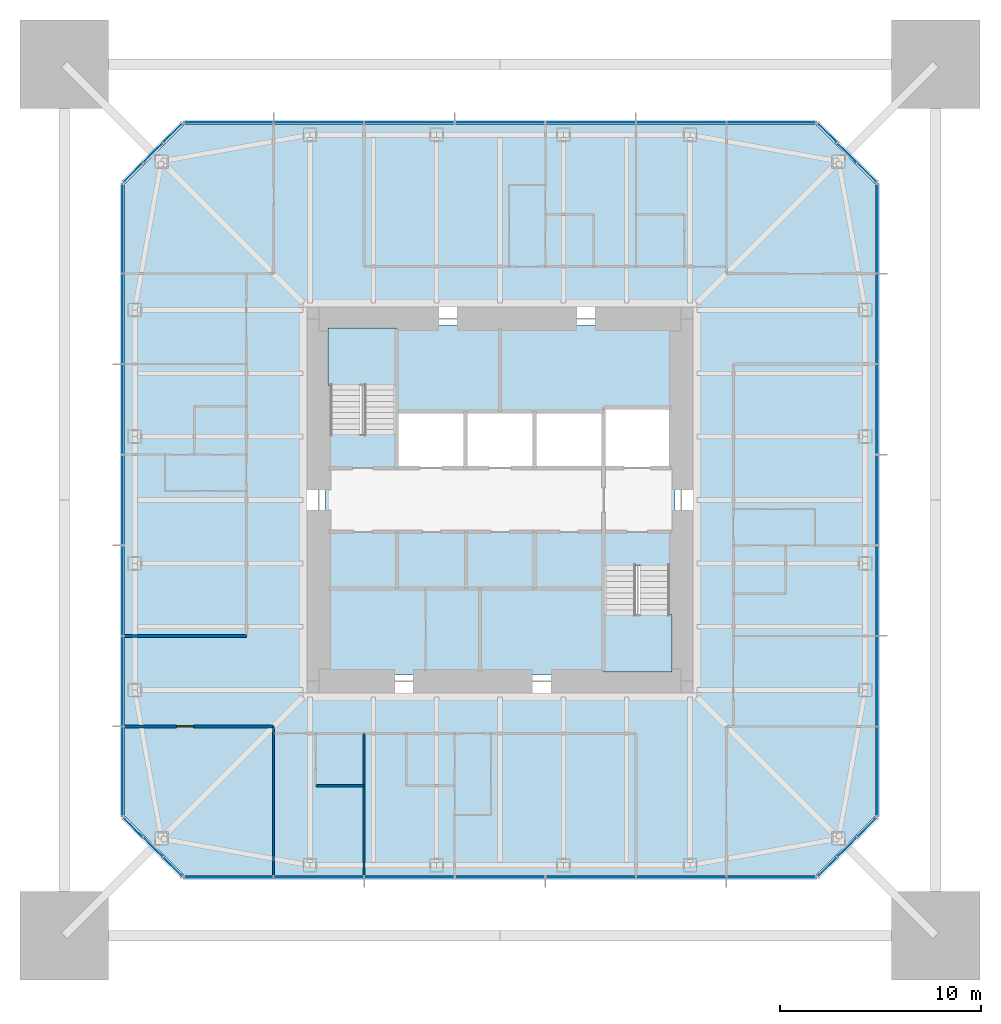
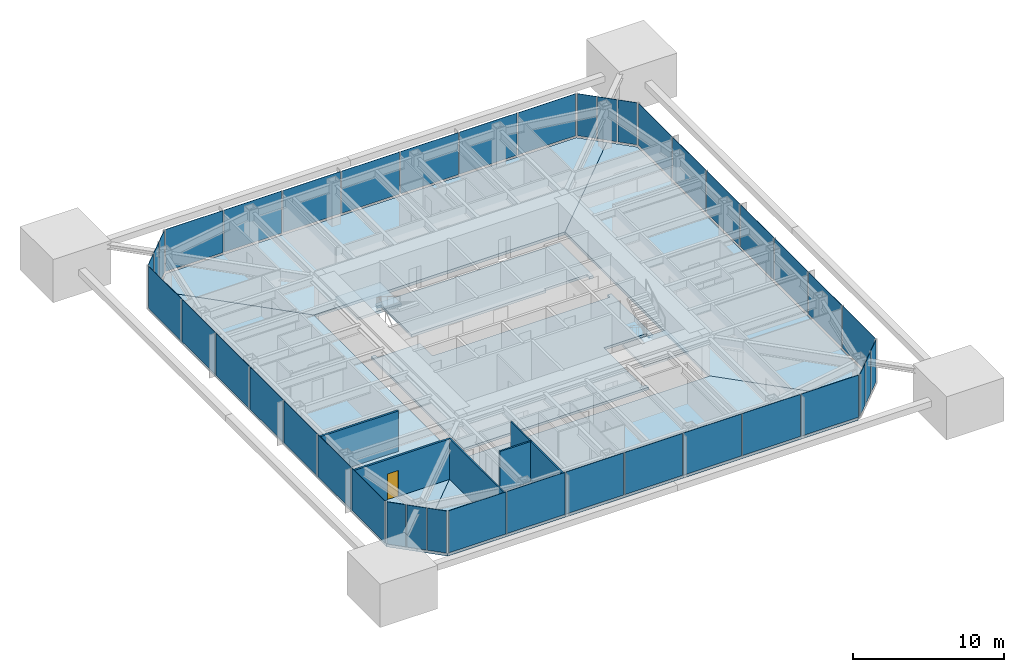
# One storey, part 7 of 13: 40 plates, 8 slabs, 5 walls, 1 door, 1 opening, 10 elements without a shape of their own.
"""IFC4 building model written with IfcOpenShell, lengths in metres."""

from ifc_helpers import new_model, si_unit, direction, frame, frame_2d, origin, origin_2d, place, context, subcontext, project, spatial, polyline, rectangle, outline, extrude, material, layer, layer_set, constituent, constituent_set, type_object, element, fill, aggregate, save


model = new_model("IFC4")

# Units and contexts
model_context = context("Model", 3, precision=1e-05, world=origin(), true_north=direction((0.0, 1.0)))
body_context = subcontext(model_context, "Body", "Model", "MODEL_VIEW")
ifc_project = project(units=[si_unit("LENGTHUNIT", "METRE"), si_unit("AREAUNIT", "SQUARE_METRE"), si_unit("VOLUMEUNIT", "CUBIC_METRE"), si_unit("PLANEANGLEUNIT", "RADIAN"), si_unit("MASSUNIT", "GRAM", prefix="KILO")], contexts=[model_context])

# Site, building, storey
site_placement = place(None, origin())
site = spatial("IfcSite", under=ifc_project, at=site_placement, CompositionType="ELEMENT")
building_placement = place(site_placement, origin())
building = spatial("IfcBuilding", under=site, at=building_placement, Name="Iwan Alto Co-Living Towers", CompositionType="ELEMENT")
storey_placement = place(building_placement, frame((0.0, 0.0, 191.5)))
storey = spatial("IfcBuildingStorey", under=building, at=storey_placement, Name="L52", CompositionType="ELEMENT", Elevation=191.5)

# Slabs
ifc_material_1 = material(Name="Concrete f'c 30 MPa", Category="concrete")
ifc_layer_1 = layer(ifc_material_1, 0.199951171875)
ifc_layer_set_1 = layer_set([ifc_layer_1], Name="CORE FLOOR SLAB 200")
slab_type_1 = type_object("IfcSlabType", Name="CORE FLOOR SLAB 200", PredefinedType="FLOOR", material=ifc_layer_set_1)
slab_1_placement = place(storey_placement, frame((0.0, 0.0, -0.199951171875)))
element("IfcSlab", 1, at=slab_1_placement, inside=storey, type_object=slab_type_1, Name="T1 core floor L52", PredefinedType="FLOOR", context=body_context, shape_type="SweptSolid", body=[
    extrude(outline(polyline([(5.14990234375, -8.39990234375), (5.4599609375, -8.39990234375), (5.4599609375, -8.699951171875), (-8.699951171875, -8.699951171875), (-8.699951171875, 3.580078125), (-8.39990234375, 3.580078125), (-8.39990234375, 3.27001953125), (-5.14990234375, 3.27001953125), (-5.14990234375, 1.60009765625), (-1.717041015625, 1.60009765625), (1.717041015625, 1.60009765625), (5.14990234375, 1.60009765625), (8.39990234375, 1.60009765625), (8.39990234375, 1.909912109375), (8.699951171875, 1.909912109375), (8.699951171875, -3.580078125), (8.39990234375, -3.580078125), (8.39990234375, -3.27001953125), (5.14990234375, -3.27001953125), (5.14990234375, -8.39990234375)])), origin(), (0.0, 0.0, 1.0), 0.199951171875),
])
slab_2_placement = place(storey_placement, frame((0.0, 0.0, -0.199951171875)))
element("IfcSlab", 2, at=slab_2_placement, inside=storey, type_object=slab_type_1, Name="T1 core floor L52", PredefinedType="FLOOR", context=body_context, shape_type="SweptSolid", body=[
    extrude(outline(polyline([(1.717041015625, 4.39990234375), (-1.717041015625, 4.39990234375), (-5.14990234375, 4.39990234375), (-5.14990234375, 8.39990234375), (-5.4599609375, 8.39990234375), (-5.4599609375, 8.699951171875), (8.699951171875, 8.699951171875), (8.699951171875, 4.2900390625), (8.39990234375, 4.2900390625), (8.39990234375, 4.60009765625), (5.14990234375, 4.60009765625), (5.14990234375, 4.39990234375), (1.717041015625, 4.39990234375)])), origin(), (0.0, 0.0, 1.0), 0.199951171875),
])

# Curtain wall, plates
ifc_material_2 = material(Name="Bronze aluminium unitised frame", Category="aluminium")
curtain_wall_type_1 = type_object("IfcCurtainWallType", Name="CURTAIN WALL CW-A", PredefinedType="NOTDEFINED", material=ifc_material_2)
curtain_wall_1_placement = place(storey_placement, origin())
curtain_wall_1 = element("IfcCurtainWall", 3, at=curtain_wall_1_placement, inside=storey, type_object=curtain_wall_type_1, Name="T1 curtain wall S L52", PredefinedType="NOTDEFINED")
ifc_material_3 = material(Name="Bronze-tinted insulating glass", Category="glass")
ifc_layer_2 = layer(ifc_material_3, 0.031982421875)
ifc_layer_set_2 = layer_set([ifc_layer_2], Name="CW-A PANEL TINTED IGU 32")
plate_type_1 = type_object("IfcPlateType", Name="CW-A PANEL TINTED IGU 32", PredefinedType="CURTAIN_PANEL", material=ifc_layer_set_2)
plate_1_placement = place(storey_placement, frame((-13.47998046875, -18.75, 0.10009765625), z_axis=(0.0, 0.0, 1.0), x_axis=(1.0, 0.0, 0.0)))
plate_1 = element("IfcPlate", 4, at=plate_1_placement, type_object=plate_type_1, Name="CW-A panel 1.1", PredefinedType="CURTAIN_PANEL", context=body_context, shape_type="SweptSolid", body=[
    extrude(rectangle(XDim=4.3798828125, YDim=0.031982421875, at=origin_2d()), origin(), (0.0, 0.0, 1.0), 3.39990234375),
])
plate_2_placement = place(storey_placement, frame((-9.0, -18.75, 0.10009765625), z_axis=(0.0, 0.0, 1.0), x_axis=(1.0, 0.0, 0.0)))
plate_2 = element("IfcPlate", 5, at=plate_2_placement, type_object=plate_type_1, Name="CW-A panel 2.1", PredefinedType="CURTAIN_PANEL", context=body_context, shape_type="SweptSolid", body=[
    extrude(rectangle(XDim=4.419921875, YDim=0.031982421875, at=origin_2d()), origin(), (0.0, 0.0, 1.0), 3.39990234375),
])
plate_3_placement = place(storey_placement, frame((-4.5, -18.75, 0.10009765625), z_axis=(0.0, 0.0, 1.0), x_axis=(1.0, 0.0, 0.0)))
plate_3 = element("IfcPlate", 6, at=plate_3_placement, type_object=plate_type_1, Name="CW-A panel 3.1", PredefinedType="CURTAIN_PANEL", context=body_context, shape_type="SweptSolid", body=[
    extrude(rectangle(XDim=4.419921875, YDim=0.031982421875, at=origin_2d()), origin(), (0.0, 0.0, 1.0), 3.39990234375),
])
plate_4_placement = place(storey_placement, frame((0.0, -18.75, 0.10009765625), z_axis=(0.0, 0.0, 1.0), x_axis=(1.0, 0.0, 0.0)))
plate_4 = element("IfcPlate", 7, at=plate_4_placement, type_object=plate_type_1, Name="CW-A panel 4.1", PredefinedType="CURTAIN_PANEL", context=body_context, shape_type="SweptSolid", body=[
    extrude(rectangle(XDim=4.419921875, YDim=0.031982421875, at=origin_2d()), origin(), (0.0, 0.0, 1.0), 3.39990234375),
])
plate_5_placement = place(storey_placement, frame((4.5, -18.75, 0.10009765625), z_axis=(0.0, 0.0, 1.0), x_axis=(1.0, 0.0, 0.0)))
plate_5 = element("IfcPlate", 8, at=plate_5_placement, type_object=plate_type_1, Name="CW-A panel 5.1", PredefinedType="CURTAIN_PANEL", context=body_context, shape_type="SweptSolid", body=[
    extrude(rectangle(XDim=4.419921875, YDim=0.031982421875, at=origin_2d()), origin(), (0.0, 0.0, 1.0), 3.39990234375),
])
plate_6_placement = place(storey_placement, frame((9.0, -18.75, 0.10009765625), z_axis=(0.0, 0.0, 1.0), x_axis=(1.0, 0.0, 0.0)))
plate_6 = element("IfcPlate", 9, at=plate_6_placement, type_object=plate_type_1, Name="CW-A panel 6.1", PredefinedType="CURTAIN_PANEL", context=body_context, shape_type="SweptSolid", body=[
    extrude(rectangle(XDim=4.419921875, YDim=0.031982421875, at=origin_2d()), origin(), (0.0, 0.0, 1.0), 3.39990234375),
])
plate_7_placement = place(storey_placement, frame((13.47998046875, -18.75, 0.10009765625), z_axis=(0.0, 0.0, 1.0), x_axis=(1.0, 0.0, 0.0)))
plate_7 = element("IfcPlate", 10, at=plate_7_placement, type_object=plate_type_1, Name="CW-A panel 7.1", PredefinedType="CURTAIN_PANEL", context=body_context, shape_type="SweptSolid", body=[
    extrude(rectangle(XDim=4.3798828125, YDim=0.031982421875, at=origin_2d()), origin(), (0.0, 0.0, 1.0), 3.39990234375),
])
aggregate(curtain_wall_1, [plate_1, plate_2, plate_3, plate_4, plate_5, plate_6, plate_7])

curtain_wall_2_placement = place(storey_placement, origin())
curtain_wall_2 = element("IfcCurtainWall", 11, at=curtain_wall_2_placement, inside=storey, type_object=curtain_wall_type_1, Name="T1 curtain wall E L52", PredefinedType="NOTDEFINED")
plate_8_placement = place(storey_placement, frame((18.75, -13.47998046875, 0.10009765625), z_axis=(0.0, 0.0, 1.0), x_axis=(0.0, 1.0, 0.0)))
plate_8 = element("IfcPlate", 12, at=plate_8_placement, type_object=plate_type_1, Name="CW-A panel 1.1", PredefinedType="CURTAIN_PANEL", context=body_context, shape_type="SweptSolid", body=[
    extrude(rectangle(XDim=4.3798828125, YDim=0.031982421875, at=origin_2d()), origin(), (0.0, 0.0, 1.0), 3.39990234375),
])
plate_9_placement = place(storey_placement, frame((18.75, -9.0, 0.10009765625), z_axis=(0.0, 0.0, 1.0), x_axis=(0.0, 1.0, 0.0)))
plate_9 = element("IfcPlate", 13, at=plate_9_placement, type_object=plate_type_1, Name="CW-A panel 2.1", PredefinedType="CURTAIN_PANEL", context=body_context, shape_type="SweptSolid", body=[
    extrude(rectangle(XDim=4.419921875, YDim=0.031982421875, at=origin_2d()), origin(), (0.0, 0.0, 1.0), 3.39990234375),
])
plate_10_placement = place(storey_placement, frame((18.75, -4.5, 0.10009765625), z_axis=(0.0, 0.0, 1.0), x_axis=(0.0, 1.0, 0.0)))
plate_10 = element("IfcPlate", 14, at=plate_10_placement, type_object=plate_type_1, Name="CW-A panel 3.1", PredefinedType="CURTAIN_PANEL", context=body_context, shape_type="SweptSolid", body=[
    extrude(rectangle(XDim=4.419921875, YDim=0.031982421875, at=origin_2d()), origin(), (0.0, 0.0, 1.0), 3.39990234375),
])
plate_11_placement = place(storey_placement, frame((18.75, 0.0, 0.10009765625), z_axis=(0.0, 0.0, 1.0), x_axis=(0.0, 1.0, 0.0)))
plate_11 = element("IfcPlate", 15, at=plate_11_placement, type_object=plate_type_1, Name="CW-A panel 4.1", PredefinedType="CURTAIN_PANEL", context=body_context, shape_type="SweptSolid", body=[
    extrude(rectangle(XDim=4.419921875, YDim=0.031982421875, at=origin_2d()), origin(), (0.0, 0.0, 1.0), 3.39990234375),
])
plate_12_placement = place(storey_placement, frame((18.75, 4.5, 0.10009765625), z_axis=(0.0, 0.0, 1.0), x_axis=(0.0, 1.0, 0.0)))
plate_12 = element("IfcPlate", 16, at=plate_12_placement, type_object=plate_type_1, Name="CW-A panel 5.1", PredefinedType="CURTAIN_PANEL", context=body_context, shape_type="SweptSolid", body=[
    extrude(rectangle(XDim=4.419921875, YDim=0.031982421875, at=origin_2d()), origin(), (0.0, 0.0, 1.0), 3.39990234375),
])
plate_13_placement = place(storey_placement, frame((18.75, 9.0, 0.10009765625), z_axis=(0.0, 0.0, 1.0), x_axis=(0.0, 1.0, 0.0)))
plate_13 = element("IfcPlate", 17, at=plate_13_placement, type_object=plate_type_1, Name="CW-A panel 6.1", PredefinedType="CURTAIN_PANEL", context=body_context, shape_type="SweptSolid", body=[
    extrude(rectangle(XDim=4.419921875, YDim=0.031982421875, at=origin_2d()), origin(), (0.0, 0.0, 1.0), 3.39990234375),
])
plate_14_placement = place(storey_placement, frame((18.75, 13.47998046875, 0.10009765625), z_axis=(0.0, 0.0, 1.0), x_axis=(0.0, 1.0, 0.0)))
plate_14 = element("IfcPlate", 18, at=plate_14_placement, type_object=plate_type_1, Name="CW-A panel 7.1", PredefinedType="CURTAIN_PANEL", context=body_context, shape_type="SweptSolid", body=[
    extrude(rectangle(XDim=4.3798828125, YDim=0.031982421875, at=origin_2d()), origin(), (0.0, 0.0, 1.0), 3.39990234375),
])
aggregate(curtain_wall_2, [plate_8, plate_9, plate_10, plate_11, plate_12, plate_13, plate_14])

curtain_wall_3_placement = place(storey_placement, origin())
curtain_wall_3 = element("IfcCurtainWall", 19, at=curtain_wall_3_placement, inside=storey, type_object=curtain_wall_type_1, Name="T1 curtain wall N L52", PredefinedType="NOTDEFINED")
plate_15_placement = place(storey_placement, frame((13.47998046875, 18.75, 0.10009765625), z_axis=(0.0, 0.0, 1.0), x_axis=(-1.0, 0.0, 0.0)))
plate_15 = element("IfcPlate", 20, at=plate_15_placement, type_object=plate_type_1, Name="CW-A panel 1.1", PredefinedType="CURTAIN_PANEL", context=body_context, shape_type="SweptSolid", body=[
    extrude(rectangle(XDim=4.3798828125, YDim=0.031982421875, at=origin_2d()), origin(), (0.0, 0.0, 1.0), 3.39990234375),
])
plate_16_placement = place(storey_placement, frame((9.0, 18.75, 0.10009765625), z_axis=(0.0, 0.0, 1.0), x_axis=(-1.0, 0.0, 0.0)))
plate_16 = element("IfcPlate", 21, at=plate_16_placement, type_object=plate_type_1, Name="CW-A panel 2.1", PredefinedType="CURTAIN_PANEL", context=body_context, shape_type="SweptSolid", body=[
    extrude(rectangle(XDim=4.419921875, YDim=0.031982421875, at=origin_2d()), origin(), (0.0, 0.0, 1.0), 3.39990234375),
])
plate_17_placement = place(storey_placement, frame((4.5, 18.75, 0.10009765625), z_axis=(0.0, 0.0, 1.0), x_axis=(-1.0, 0.0, 0.0)))
plate_17 = element("IfcPlate", 22, at=plate_17_placement, type_object=plate_type_1, Name="CW-A panel 3.1", PredefinedType="CURTAIN_PANEL", context=body_context, shape_type="SweptSolid", body=[
    extrude(rectangle(XDim=4.419921875, YDim=0.031982421875, at=origin_2d()), origin(), (0.0, 0.0, 1.0), 3.39990234375),
])
plate_18_placement = place(storey_placement, frame((0.0, 18.75, 0.10009765625), z_axis=(0.0, 0.0, 1.0), x_axis=(-1.0, 0.0, 0.0)))
plate_18 = element("IfcPlate", 23, at=plate_18_placement, type_object=plate_type_1, Name="CW-A panel 4.1", PredefinedType="CURTAIN_PANEL", context=body_context, shape_type="SweptSolid", body=[
    extrude(rectangle(XDim=4.419921875, YDim=0.031982421875, at=origin_2d()), origin(), (0.0, 0.0, 1.0), 3.39990234375),
])
plate_19_placement = place(storey_placement, frame((-4.5, 18.75, 0.10009765625), z_axis=(0.0, 0.0, 1.0), x_axis=(-1.0, 0.0, 0.0)))
plate_19 = element("IfcPlate", 24, at=plate_19_placement, type_object=plate_type_1, Name="CW-A panel 5.1", PredefinedType="CURTAIN_PANEL", context=body_context, shape_type="SweptSolid", body=[
    extrude(rectangle(XDim=4.419921875, YDim=0.031982421875, at=origin_2d()), origin(), (0.0, 0.0, 1.0), 3.39990234375),
])
plate_20_placement = place(storey_placement, frame((-9.0, 18.75, 0.10009765625), z_axis=(0.0, 0.0, 1.0), x_axis=(-1.0, 0.0, 0.0)))
plate_20 = element("IfcPlate", 25, at=plate_20_placement, type_object=plate_type_1, Name="CW-A panel 6.1", PredefinedType="CURTAIN_PANEL", context=body_context, shape_type="SweptSolid", body=[
    extrude(rectangle(XDim=4.419921875, YDim=0.031982421875, at=origin_2d()), origin(), (0.0, 0.0, 1.0), 3.39990234375),
])
plate_21_placement = place(storey_placement, frame((-13.47998046875, 18.75, 0.10009765625), z_axis=(0.0, 0.0, 1.0), x_axis=(-1.0, 0.0, 0.0)))
plate_21 = element("IfcPlate", 26, at=plate_21_placement, type_object=plate_type_1, Name="CW-A panel 7.1", PredefinedType="CURTAIN_PANEL", context=body_context, shape_type="SweptSolid", body=[
    extrude(rectangle(XDim=4.3798828125, YDim=0.031982421875, at=origin_2d()), origin(), (0.0, 0.0, 1.0), 3.39990234375),
])
aggregate(curtain_wall_3, [plate_15, plate_16, plate_17, plate_18, plate_19, plate_20, plate_21])

curtain_wall_4_placement = place(storey_placement, origin())
curtain_wall_4 = element("IfcCurtainWall", 27, at=curtain_wall_4_placement, inside=storey, type_object=curtain_wall_type_1, Name="T1 curtain wall W L52", PredefinedType="NOTDEFINED")
plate_22_placement = place(storey_placement, frame((-18.75, 13.47998046875, 0.10009765625), z_axis=(0.0, 0.0, 1.0), x_axis=(0.0, -1.0, 0.0)))
plate_22 = element("IfcPlate", 28, at=plate_22_placement, type_object=plate_type_1, Name="CW-A panel 1.1", PredefinedType="CURTAIN_PANEL", context=body_context, shape_type="SweptSolid", body=[
    extrude(rectangle(XDim=4.3798828125, YDim=0.031982421875, at=origin_2d()), origin(), (0.0, 0.0, 1.0), 3.39990234375),
])
plate_23_placement = place(storey_placement, frame((-18.75, 9.0, 0.10009765625), z_axis=(0.0, 0.0, 1.0), x_axis=(0.0, -1.0, 0.0)))
plate_23 = element("IfcPlate", 29, at=plate_23_placement, type_object=plate_type_1, Name="CW-A panel 2.1", PredefinedType="CURTAIN_PANEL", context=body_context, shape_type="SweptSolid", body=[
    extrude(rectangle(XDim=4.419921875, YDim=0.031982421875, at=origin_2d()), origin(), (0.0, 0.0, 1.0), 3.39990234375),
])
plate_24_placement = place(storey_placement, frame((-18.75, 4.5, 0.10009765625), z_axis=(0.0, 0.0, 1.0), x_axis=(0.0, -1.0, 0.0)))
plate_24 = element("IfcPlate", 30, at=plate_24_placement, type_object=plate_type_1, Name="CW-A panel 3.1", PredefinedType="CURTAIN_PANEL", context=body_context, shape_type="SweptSolid", body=[
    extrude(rectangle(XDim=4.419921875, YDim=0.031982421875, at=origin_2d()), origin(), (0.0, 0.0, 1.0), 3.39990234375),
])
plate_25_placement = place(storey_placement, frame((-18.75, 0.0, 0.10009765625), z_axis=(0.0, 0.0, 1.0), x_axis=(0.0, -1.0, 0.0)))
plate_25 = element("IfcPlate", 31, at=plate_25_placement, type_object=plate_type_1, Name="CW-A panel 4.1", PredefinedType="CURTAIN_PANEL", context=body_context, shape_type="SweptSolid", body=[
    extrude(rectangle(XDim=4.419921875, YDim=0.031982421875, at=origin_2d()), origin(), (0.0, 0.0, 1.0), 3.39990234375),
])
plate_26_placement = place(storey_placement, frame((-18.75, -4.5, 0.10009765625), z_axis=(0.0, 0.0, 1.0), x_axis=(0.0, -1.0, 0.0)))
plate_26 = element("IfcPlate", 32, at=plate_26_placement, type_object=plate_type_1, Name="CW-A panel 5.1", PredefinedType="CURTAIN_PANEL", context=body_context, shape_type="SweptSolid", body=[
    extrude(rectangle(XDim=4.419921875, YDim=0.031982421875, at=origin_2d()), origin(), (0.0, 0.0, 1.0), 3.39990234375),
])
plate_27_placement = place(storey_placement, frame((-18.75, -9.0, 0.10009765625), z_axis=(0.0, 0.0, 1.0), x_axis=(0.0, -1.0, 0.0)))
plate_27 = element("IfcPlate", 33, at=plate_27_placement, type_object=plate_type_1, Name="CW-A panel 6.1", PredefinedType="CURTAIN_PANEL", context=body_context, shape_type="SweptSolid", body=[
    extrude(rectangle(XDim=4.419921875, YDim=0.031982421875, at=origin_2d()), origin(), (0.0, 0.0, 1.0), 3.39990234375),
])
plate_28_placement = place(storey_placement, frame((-18.75, -13.47998046875, 0.10009765625), z_axis=(0.0, 0.0, 1.0), x_axis=(0.0, -1.0, 0.0)))
plate_28 = element("IfcPlate", 34, at=plate_28_placement, type_object=plate_type_1, Name="CW-A panel 7.1", PredefinedType="CURTAIN_PANEL", context=body_context, shape_type="SweptSolid", body=[
    extrude(rectangle(XDim=4.3798828125, YDim=0.031982421875, at=origin_2d()), origin(), (0.0, 0.0, 1.0), 3.39990234375),
])
aggregate(curtain_wall_4, [plate_22, plate_23, plate_24, plate_25, plate_26, plate_27, plate_28])

ifc_material_4 = material(Name="Bronze aluminium unitised frame", Category="aluminium")
curtain_wall_type_2 = type_object("IfcCurtainWallType", Name="CURTAIN WALL CW-B", PredefinedType="NOTDEFINED", material=ifc_material_4)
curtain_wall_5_placement = place(storey_placement, origin())
curtain_wall_5 = element("IfcCurtainWall", 35, at=curtain_wall_5_placement, inside=storey, type_object=curtain_wall_type_2, Name="T1 chamfer curtain wall SE L52", PredefinedType="NOTDEFINED")
ifc_material_5 = material(Name="Bronze-tinted insulating glass", Category="glass")
ifc_layer_3 = layer(ifc_material_5, 0.031982421875)
ifc_layer_set_3 = layer_set([ifc_layer_3], Name="CW-B PANEL TINTED IGU 32")
plate_type_2 = type_object("IfcPlateType", Name="CW-B PANEL TINTED IGU 32", PredefinedType="CURTAIN_PANEL", material=ifc_layer_set_3)
plate_29_placement = place(storey_placement, frame((16.26416015625, -18.23583984375, 0.10009765625), z_axis=(0.0, 0.0, 1.0), x_axis=(0.707106781187, 0.707106781187, 0.0)))
plate_29 = element("IfcPlate", 36, at=plate_29_placement, type_object=plate_type_2, Name="CW-B panel 1.1", PredefinedType="CURTAIN_PANEL", context=body_context, shape_type="SweptSolid", body=[
    extrude(rectangle(XDim=1.294189453125, YDim=0.031982421875, at=origin_2d()), origin(), (0.0, 0.0, 1.0), 3.39990234375),
])
plate_30_placement = place(storey_placement, frame((17.25, -17.25, 0.10009765625), z_axis=(0.0, 0.0, 1.0), x_axis=(0.707106781187, 0.707106781187, 0.0)))
plate_30 = element("IfcPlate", 37, at=plate_30_placement, type_object=plate_type_2, Name="CW-B panel 2.1", PredefinedType="CURTAIN_PANEL", context=body_context, shape_type="SweptSolid", body=[
    extrude(rectangle(XDim=1.334228515625, YDim=0.031982421875, at=origin_2d()), origin(), (0.0, 0.0, 1.0), 3.39990234375),
])
plate_31_placement = place(storey_placement, frame((18.23583984375, -16.26416015625, 0.10009765625), z_axis=(0.0, 0.0, 1.0), x_axis=(0.707106781187, 0.707106781187, 0.0)))
plate_31 = element("IfcPlate", 38, at=plate_31_placement, type_object=plate_type_2, Name="CW-B panel 3.1", PredefinedType="CURTAIN_PANEL", context=body_context, shape_type="SweptSolid", body=[
    extrude(rectangle(XDim=1.294189453125, YDim=0.031982421875, at=origin_2d()), origin(), (0.0, 0.0, 1.0), 3.39990234375),
])
aggregate(curtain_wall_5, [plate_29, plate_30, plate_31])

curtain_wall_6_placement = place(storey_placement, origin())
curtain_wall_6 = element("IfcCurtainWall", 39, at=curtain_wall_6_placement, inside=storey, type_object=curtain_wall_type_2, Name="T1 chamfer curtain wall NE L52", PredefinedType="NOTDEFINED")
plate_32_placement = place(storey_placement, frame((18.23583984375, 16.26416015625, 0.10009765625), z_axis=(0.0, 0.0, 1.0), x_axis=(-0.707106781187, 0.707106781187, 0.0)))
plate_32 = element("IfcPlate", 40, at=plate_32_placement, type_object=plate_type_2, Name="CW-B panel 1.1", PredefinedType="CURTAIN_PANEL", context=body_context, shape_type="SweptSolid", body=[
    extrude(rectangle(XDim=1.294189453125, YDim=0.031982421875, at=origin_2d()), origin(), (0.0, 0.0, 1.0), 3.39990234375),
])
plate_33_placement = place(storey_placement, frame((17.25, 17.25, 0.10009765625), z_axis=(0.0, 0.0, 1.0), x_axis=(-0.707106781187, 0.707106781187, 0.0)))
plate_33 = element("IfcPlate", 41, at=plate_33_placement, type_object=plate_type_2, Name="CW-B panel 2.1", PredefinedType="CURTAIN_PANEL", context=body_context, shape_type="SweptSolid", body=[
    extrude(rectangle(XDim=1.334228515625, YDim=0.031982421875, at=origin_2d()), origin(), (0.0, 0.0, 1.0), 3.39990234375),
])
plate_34_placement = place(storey_placement, frame((16.26416015625, 18.23583984375, 0.10009765625), z_axis=(0.0, 0.0, 1.0), x_axis=(-0.707106781187, 0.707106781187, 0.0)))
plate_34 = element("IfcPlate", 42, at=plate_34_placement, type_object=plate_type_2, Name="CW-B panel 3.1", PredefinedType="CURTAIN_PANEL", context=body_context, shape_type="SweptSolid", body=[
    extrude(rectangle(XDim=1.294189453125, YDim=0.031982421875, at=origin_2d()), origin(), (0.0, 0.0, 1.0), 3.39990234375),
])
aggregate(curtain_wall_6, [plate_32, plate_33, plate_34])

curtain_wall_7_placement = place(storey_placement, origin())
curtain_wall_7 = element("IfcCurtainWall", 43, at=curtain_wall_7_placement, inside=storey, type_object=curtain_wall_type_2, Name="T1 chamfer curtain wall NW L52", PredefinedType="NOTDEFINED")
plate_35_placement = place(storey_placement, frame((-16.26416015625, 18.23583984375, 0.10009765625), z_axis=(0.0, 0.0, 1.0), x_axis=(-0.707106781187, -0.707106781187, 0.0)))
plate_35 = element("IfcPlate", 44, at=plate_35_placement, type_object=plate_type_2, Name="CW-B panel 1.1", PredefinedType="CURTAIN_PANEL", context=body_context, shape_type="SweptSolid", body=[
    extrude(rectangle(XDim=1.294189453125, YDim=0.031982421875, at=origin_2d()), origin(), (0.0, 0.0, 1.0), 3.39990234375),
])
plate_36_placement = place(storey_placement, frame((-17.25, 17.25, 0.10009765625), z_axis=(0.0, 0.0, 1.0), x_axis=(-0.707106781187, -0.707106781187, 0.0)))
plate_36 = element("IfcPlate", 45, at=plate_36_placement, type_object=plate_type_2, Name="CW-B panel 2.1", PredefinedType="CURTAIN_PANEL", context=body_context, shape_type="SweptSolid", body=[
    extrude(rectangle(XDim=1.334228515625, YDim=0.031982421875, at=origin_2d()), origin(), (0.0, 0.0, 1.0), 3.39990234375),
])
plate_37_placement = place(storey_placement, frame((-18.23583984375, 16.26416015625, 0.10009765625), z_axis=(0.0, 0.0, 1.0), x_axis=(-0.707106781187, -0.707106781187, 0.0)))
plate_37 = element("IfcPlate", 46, at=plate_37_placement, type_object=plate_type_2, Name="CW-B panel 3.1", PredefinedType="CURTAIN_PANEL", context=body_context, shape_type="SweptSolid", body=[
    extrude(rectangle(XDim=1.294189453125, YDim=0.031982421875, at=origin_2d()), origin(), (0.0, 0.0, 1.0), 3.39990234375),
])
aggregate(curtain_wall_7, [plate_35, plate_36, plate_37])

curtain_wall_8_placement = place(storey_placement, origin())
curtain_wall_8 = element("IfcCurtainWall", 47, at=curtain_wall_8_placement, inside=storey, type_object=curtain_wall_type_2, Name="T1 chamfer curtain wall SW L52", PredefinedType="NOTDEFINED")
plate_38_placement = place(storey_placement, frame((-18.23583984375, -16.26416015625, 0.10009765625), z_axis=(0.0, 0.0, 1.0), x_axis=(0.707106781187, -0.707106781187, 0.0)))
plate_38 = element("IfcPlate", 48, at=plate_38_placement, type_object=plate_type_2, Name="CW-B panel 1.1", PredefinedType="CURTAIN_PANEL", context=body_context, shape_type="SweptSolid", body=[
    extrude(rectangle(XDim=1.294189453125, YDim=0.031982421875, at=origin_2d()), origin(), (0.0, 0.0, 1.0), 3.39990234375),
])
plate_39_placement = place(storey_placement, frame((-17.25, -17.25, 0.10009765625), z_axis=(0.0, 0.0, 1.0), x_axis=(0.707106781187, -0.707106781187, 0.0)))
plate_39 = element("IfcPlate", 49, at=plate_39_placement, type_object=plate_type_2, Name="CW-B panel 2.1", PredefinedType="CURTAIN_PANEL", context=body_context, shape_type="SweptSolid", body=[
    extrude(rectangle(XDim=1.334228515625, YDim=0.031982421875, at=origin_2d()), origin(), (0.0, 0.0, 1.0), 3.39990234375),
])
plate_40_placement = place(storey_placement, frame((-16.26416015625, -18.23583984375, 0.10009765625), z_axis=(0.0, 0.0, 1.0), x_axis=(0.707106781187, -0.707106781187, 0.0)))
plate_40 = element("IfcPlate", 50, at=plate_40_placement, type_object=plate_type_2, Name="CW-B panel 3.1", PredefinedType="CURTAIN_PANEL", context=body_context, shape_type="SweptSolid", body=[
    extrude(rectangle(XDim=1.294189453125, YDim=0.031982421875, at=origin_2d()), origin(), (0.0, 0.0, 1.0), 3.39990234375),
])
aggregate(curtain_wall_8, [plate_38, plate_39, plate_40])

# Stair, slab
ifc_material_6 = material(Name="Steel ASTM A36", Category="steel")
ifc_constituent_1 = constituent(ifc_material_6, Name="Stringers", Category="LoadBearing")
ifc_material_7 = material(Name="Concrete f'c 30 MPa", Category="concrete")
ifc_constituent_2 = constituent(ifc_material_7, Name="Tread fill", Category="Finish")
ifc_constituent_set = constituent_set(constituents=[ifc_constituent_1, ifc_constituent_2], Name="STAIR 3500 TWO-FLIGHT T1 CORE")
stair_type = type_object("IfcStairType", Name="STAIR 3500 TWO-FLIGHT T1 CORE", PredefinedType="HALF_TURN_STAIR", material=ifc_constituent_set)
stair_1_placement = place(storey_placement, origin())
stair_1 = element("IfcStair", 51, at=stair_1_placement, inside=storey, type_object=stair_type, Name="Stair T1-S1 L52 to L53", PredefinedType="HALF_TURN_STAIR")
ifc_material_8 = material(Name="Concrete f'c 30 MPa", Category="concrete")
ifc_layer_4 = layer(ifc_material_8, 0.199951171875)
ifc_layer_set_4 = layer_set([ifc_layer_4], Name="STAIR LANDING 200")
slab_type_2 = type_object("IfcSlabType", Name="STAIR LANDING 200", PredefinedType="LANDING", material=ifc_layer_set_4)
slab_3_placement = place(storey_placement, frame((0.0, 0.0, 1.550048828125)))
slab_3 = element("IfcSlab", 52, at=slab_3_placement, type_object=slab_type_2, Name="T1-S1 landing 1", PredefinedType="LANDING", context=body_context, shape_type="SweptSolid", body=[
    extrude(outline(polyline([(-8.550048828125, 5.68994140625), (-8.550048828125, 8.550048828125), (-5.14990234375, 8.550048828125), (-5.14990234375, 5.68994140625), (-8.550048828125, 5.68994140625)])), origin(), (0.0, 0.0, 1.0), 0.199951171875),
])
aggregate(stair_1, [slab_3])

stair_2_placement = place(storey_placement, origin())
stair_2 = element("IfcStair", 53, at=stair_2_placement, inside=storey, type_object=stair_type, Name="Stair T1-S2 L52 to L53", PredefinedType="HALF_TURN_STAIR")
slab_4_placement = place(storey_placement, frame((0.0, 0.0, 1.550048828125)))
slab_4 = element("IfcSlab", 54, at=slab_4_placement, type_object=slab_type_2, Name="T1-S2 landing 1", PredefinedType="LANDING", context=body_context, shape_type="SweptSolid", body=[
    extrude(outline(polyline([(5.14990234375, -5.68994140625), (5.14990234375, -8.550048828125), (8.550048828125, -8.550048828125), (8.550048828125, -5.68994140625), (5.14990234375, -5.68994140625)])), origin(), (0.0, 0.0, 1.0), 0.199951171875),
])
aggregate(stair_2, [slab_4])

# Slabs
ifc_material_9 = material(Name="Concrete f'c 30 MPa", Category="concrete")
ifc_layer_5 = layer(ifc_material_9, 0.22998046875)
ifc_layer_set_5 = layer_set([ifc_layer_5], Name="T1 FLOOR SLAB 230")
slab_type_3 = type_object("IfcSlabType", Name="T1 FLOOR SLAB 230", PredefinedType="FLOOR", material=ifc_layer_set_5)
slab_5_placement = place(storey_placement, frame((0.0, 0.0, -0.22998046875)))
element("IfcSlab", 55, at=slab_5_placement, inside=storey, type_object=slab_type_3, Name="T1 floor slab L52 S pour", PredefinedType="FLOOR", context=body_context, shape_type="SweptSolid", body=[
    extrude(outline(polyline([(15.69140625, -18.64990234375), (-15.69140625, -18.64990234375), (-17.170654296875, -17.170654296875), (-9.60009765625, -9.60009765625), (9.60009765625, -9.60009765625), (17.170654296875, -17.170654296875), (15.69140625, -18.64990234375)])), origin(), (0.0, 0.0, 1.0), 0.22998046875),
])
slab_6_placement = place(storey_placement, frame((0.0, 0.0, -0.22998046875)))
element("IfcSlab", 56, at=slab_6_placement, inside=storey, type_object=slab_type_3, Name="T1 floor slab L52 E pour", PredefinedType="FLOOR", context=body_context, shape_type="SweptSolid", body=[
    extrude(outline(polyline([(18.64990234375, 15.69140625), (18.64990234375, -15.69140625), (17.170654296875, -17.170654296875), (9.60009765625, -9.60009765625), (9.60009765625, 9.60009765625), (17.170654296875, 17.170654296875), (18.64990234375, 15.69140625)])), origin(), (0.0, 0.0, 1.0), 0.22998046875),
])
slab_7_placement = place(storey_placement, frame((0.0, 0.0, -0.22998046875)))
element("IfcSlab", 57, at=slab_7_placement, inside=storey, type_object=slab_type_3, Name="T1 floor slab L52 N pour", PredefinedType="FLOOR", context=body_context, shape_type="SweptSolid", body=[
    extrude(outline(polyline([(-15.69140625, 18.64990234375), (15.69140625, 18.64990234375), (17.170654296875, 17.170654296875), (9.60009765625, 9.60009765625), (-9.60009765625, 9.60009765625), (-17.170654296875, 17.170654296875), (-15.69140625, 18.64990234375)])), origin(), (0.0, 0.0, 1.0), 0.22998046875),
])
slab_8_placement = place(storey_placement, frame((0.0, 0.0, -0.22998046875)))
element("IfcSlab", 58, at=slab_8_placement, inside=storey, type_object=slab_type_3, Name="T1 floor slab L52 W pour", PredefinedType="FLOOR", context=body_context, shape_type="SweptSolid", body=[
    extrude(outline(polyline([(-18.64990234375, 15.69140625), (-17.170654296875, 17.170654296875), (-9.60009765625, 9.60009765625), (-9.60009765625, -9.60009765625), (-17.170654296875, -17.170654296875), (-18.64990234375, -15.69140625), (-18.64990234375, 15.69140625)])), origin(), (0.0, 0.0, 1.0), 0.22998046875),
])

# Wall, opening, door
ifc_material_10 = material(Name="Gypsum board")
ifc_layer_6 = layer(ifc_material_10, 0.02490234375, Name="Board", Category="Finish")
ifc_material_11 = material(Name="Steel ASTM A1003 ST33H cold-formed studs", Category="steel")
ifc_layer_7 = layer(ifc_material_11, 0.10009765625, Name="Studs", Category="Framing")
ifc_layer_8 = layer(ifc_material_10, 0.02490234375, Name="Board", Category="Finish")
ifc_layer_set_6 = layer_set([ifc_layer_6, ifc_layer_7, ifc_layer_8], Name="CORRIDOR WALL 150")
wall_type_1 = type_object("IfcWallType", Name="CORRIDOR WALL 150", PredefinedType="PARTITIONING", material=ifc_layer_set_6)
wall_1_placement = place(storey_placement, frame((-18.68994140625, -11.25, 0.0), z_axis=(0.0, 0.0, 1.0), x_axis=(1.0, 0.0, 0.0)))
wall_1 = element("IfcWall", 59, at=wall_1_placement, inside=storey, type_object=wall_type_1, Name="Partition L52", PredefinedType="PARTITIONING", context=body_context, shape_type="SweptSolid", body=[
    extrude(rectangle(XDim=7.43994140625, YDim=0.14990234375, at=frame_2d((3.719970703125, 0.0))), origin(), (0.0, 0.0, 1.0), 3.27001953125),
])
opening_placement = place(wall_1_placement, frame((2.6201171875, 0.0, 0.0)))
opening = element("IfcOpeningElement", 60, at=opening_placement, cuts=wall_1, Name="Opening D2", PredefinedType="OPENING", context=body_context, shape_type="SweptSolid", body=[
    extrude(rectangle(XDim=0.85009765625, YDim=2.10009765625, at=frame_2d((0.425048828125, 1.050048828125))), frame((0.0, 0.0849609375, 0.0), z_axis=(0.0, -1.0, 0.0), x_axis=(1.0, 0.0, 0.0)), (0.0, 0.0, 1.0), 0.169921875),
])
ifc_material_12 = material(Name="Timber leaf in steel frame", Category="steel")
door_type = type_object("IfcDoorType", Name="ROOM DOOR 850X2100", OperationType="SINGLE_SWING_LEFT", PredefinedType="DOOR", material=ifc_material_12)
door_placement = place(opening_placement, frame((0.85009765625, 0.0, 0.0), z_axis=(0.0, 0.0, 1.0), x_axis=(-1.0, 0.0, 0.0)))
door = element("IfcDoor", 61, at=door_placement, inside=storey, type_object=door_type, Name="Shared kitchen and lounge door L52", OperationType="SINGLE_SWING_RIGHT", OverallHeight=2.10009765625, OverallWidth=0.85009765625, PredefinedType="DOOR", context=body_context, shape_type="SweptSolid", body=[
    extrude(rectangle(XDim=0.85009765625, YDim=2.10009765625, at=frame_2d((0.425048828125, 1.050048828125))), frame((0.0, 0.02490234375, 0.0), z_axis=(0.0, -1.0, 0.0), x_axis=(1.0, 0.0, 0.0)), (0.0, 0.0, 1.0), 0.050048828125),
])
fill(opening, door)

# Walls
wall_2_placement = place(storey_placement, frame((-18.68994140625, -6.75, 0.0), z_axis=(0.0, 0.0, 1.0), x_axis=(1.0, 0.0, 0.0)))
element("IfcWall", 62, at=wall_2_placement, inside=storey, type_object=wall_type_1, Name="Partition L52", PredefinedType="PARTITIONING", context=body_context, shape_type="SweptSolid", body=[
    extrude(rectangle(XDim=6.08984375, YDim=0.14990234375, at=frame_2d((3.044921875, 0.0))), origin(), (0.0, 0.0, 1.0), 3.27001953125),
])
ifc_layer_9 = layer(ifc_material_10, 0.012451171875, Name="Board", Category="Finish")
ifc_layer_10 = layer(ifc_material_11, 0.074951171875, Name="Studs", Category="Framing")
ifc_layer_11 = layer(ifc_material_10, 0.012451171875, Name="Board", Category="Finish")
ifc_layer_set_7 = layer_set([ifc_layer_9, ifc_layer_10, ifc_layer_11], Name="PARTITION 100")
wall_type_2 = type_object("IfcWallType", Name="PARTITION 100", PredefinedType="PARTITIONING", material=ifc_layer_set_7)
wall_3_placement = place(storey_placement, frame((-6.75, -18.68994140625, 0.0), z_axis=(0.0, 0.0, 1.0), x_axis=(0.0, 1.0, 0.0)))
element("IfcWall", 63, at=wall_3_placement, inside=storey, type_object=wall_type_2, Name="Partition L52", PredefinedType="PARTITIONING", context=body_context, shape_type="SweptSolid", body=[
    extrude(rectangle(XDim=7.08984375, YDim=0.10009765625, at=frame_2d((3.544921875, 0.0))), origin(), (0.0, 0.0, 1.0), 3.27001953125),
])
wall_4_placement = place(storey_placement, frame((-11.25, -18.68994140625, 0.0), z_axis=(0.0, 0.0, 1.0), x_axis=(0.0, 1.0, 0.0)))
element("IfcWall", 64, at=wall_4_placement, inside=storey, type_object=wall_type_2, Name="Partition L52", PredefinedType="PARTITIONING", context=body_context, shape_type="SweptSolid", body=[
    extrude(rectangle(XDim=7.43994140625, YDim=0.10009765625, at=frame_2d((3.719970703125, 0.0))), origin(), (0.0, 0.0, 1.0), 3.27001953125),
])
ifc_material_13 = material(Name="Cement board")
ifc_layer_12 = layer(ifc_material_13, 0.012451171875, Name="Board", Category="Finish")
ifc_layer_13 = layer(ifc_material_11, 0.094970703125, Name="Studs", Category="Framing")
ifc_layer_14 = layer(ifc_material_13, 0.012451171875, Name="Board", Category="Finish")
ifc_layer_set_8 = layer_set([ifc_layer_12, ifc_layer_13, ifc_layer_14], Name="WET AREA PARTITION 120")
wall_type_3 = type_object("IfcWallType", Name="WET AREA PARTITION 120", PredefinedType="PARTITIONING", material=ifc_layer_set_8)
wall_5_placement = place(storey_placement, frame((-9.14990234375, -14.199951171875, 0.0), z_axis=(0.0, 0.0, 1.0), x_axis=(1.0, 0.0, 0.0)))
element("IfcWall", 65, at=wall_5_placement, inside=storey, type_object=wall_type_3, Name="Partition L52", PredefinedType="PARTITIONING", context=body_context, shape_type="SweptSolid", body=[
    extrude(rectangle(XDim=2.39990234375, YDim=0.1201171875, at=frame_2d((1.199951171875, 0.0))), origin(), (0.0, 0.0, 1.0), 3.27001953125),
])

save(model, "model.ifc")
